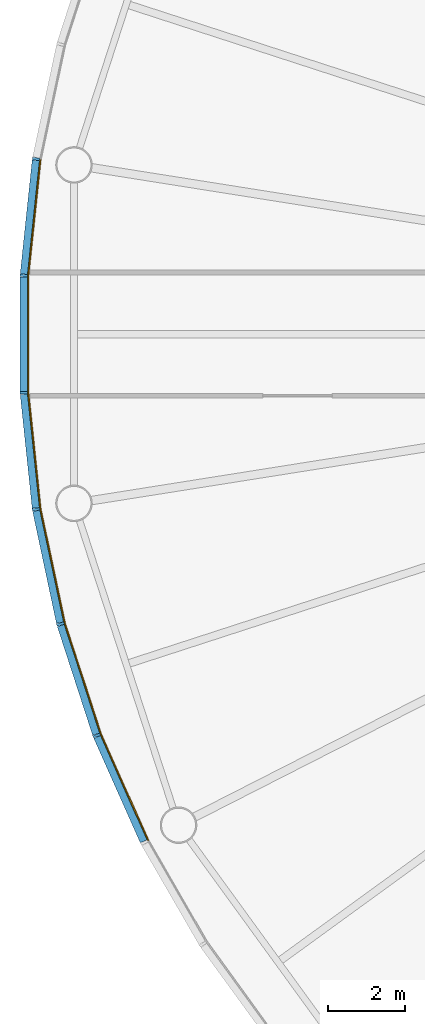
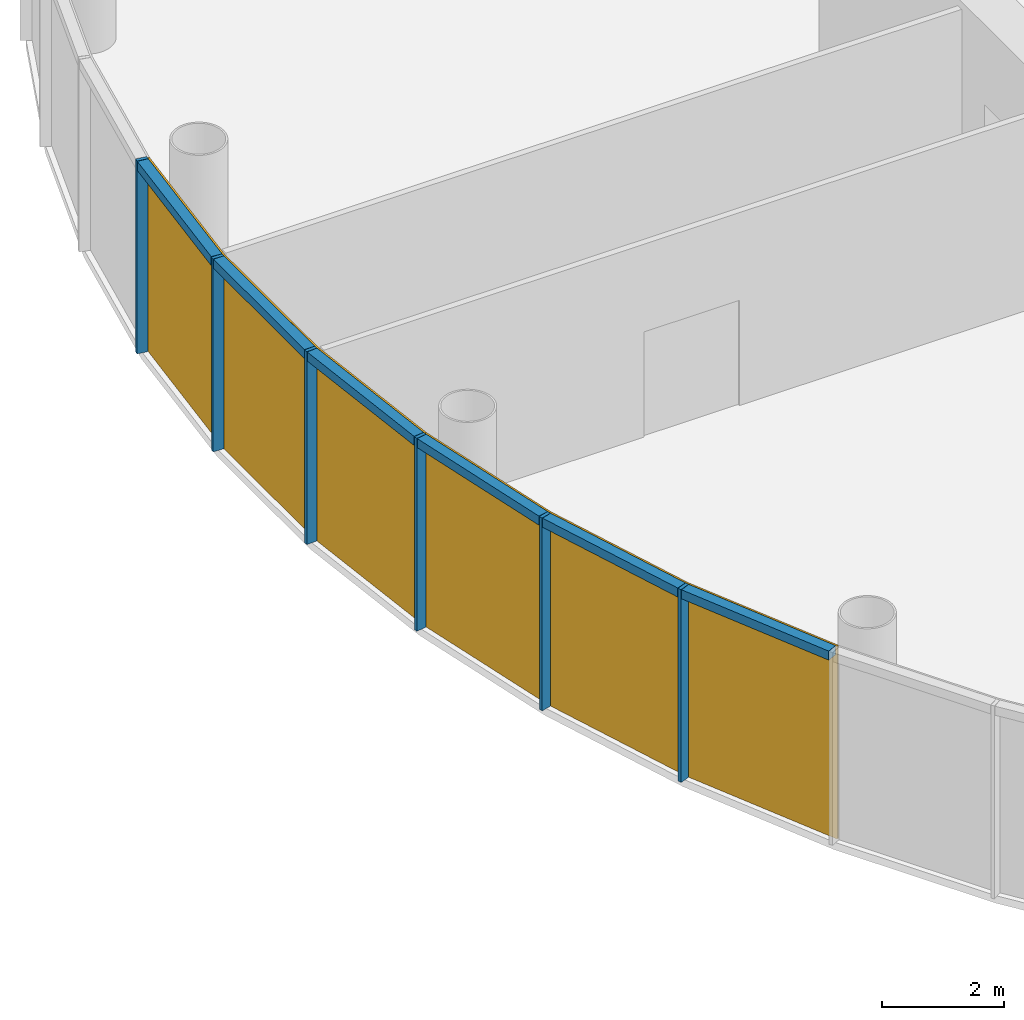
# One storey, part 7 of 12: 12 members, 2 curtain walls.
"""IFC4 building model written with IfcOpenShell, lengths in metres."""

import ifcopenshell
import ifcopenshell.guid

model = None  # the IFC model being written
_history = None  # IfcOwnerHistory: only IFC2X3 demands one
_inside = {}  # id of a spatial element -> (the spatial element, [elements in it])
_under = {}  # id of a project, library or spatial element -> (it, [spatial elements below it])
_declared = {}  # id of a project -> (the project, [libraries it declares])
_typed = {}  # id of a type object -> (the type object, [elements of that type])
_made_of = {}  # id of a material, layer set ... -> (it, [elements and type objects made of it])


def new_model(schema):
    """Start an empty IFC model of exactly this schema.

    Asked for "IFC4X3", IfcOpenShell would pick the latest addendum, in which some entities
    have other attributes; the version numbers below select the first issue.
    IFC2X3 requires an IfcOwnerHistory on every rooted entity: one is made here for all.
    """
    global model, _history
    if schema == "IFC4X3":
        model = ifcopenshell.file(schema_version=(4, 3, 0, 0))
    else:
        model = ifcopenshell.file(schema=schema)
    _inside.clear()
    _under.clear()
    _declared.clear()
    _typed.clear()
    _made_of.clear()
    _history = None
    if model.schema == "IFC2X3":
        org = make("IfcOrganization", Name="unknown")
        user = make(
            "IfcPersonAndOrganization",
            ThePerson=make("IfcPerson", FamilyName="unknown"),
            TheOrganization=org,
        )
        app = make(
            "IfcApplication",
            ApplicationDeveloper=org,
            Version="unknown",
            ApplicationFullName="unknown",
            ApplicationIdentifier="unknown",
        )
        _history = make(
            "IfcOwnerHistory",
            OwningUser=user,
            OwningApplication=app,
            ChangeAction="ADDED",
            CreationDate=0,
        )
    return model


def make(cls, **values):
    """One entity of the class cls with the attributes given. An attribute that is None is left unset."""
    return model.create_entity(
        cls, **{name: value for name, value in values.items() if value is not None}
    )


def rooted(cls, **values):
    """An entity with a GlobalId (a new one), such as an element, a storey or a relation."""
    return make(cls, GlobalId=ifcopenshell.guid.new(), OwnerHistory=_history, **values)


def si_unit(unit_type, name, prefix=None):
    """IfcSIUnit, for example si_unit("LENGTHUNIT", "METRE", prefix="MILLI")."""
    return make("IfcSIUnit", UnitType=unit_type, Prefix=prefix, Name=name)


def assignment(units):
    """IfcUnitAssignment: the units of a project."""
    return None if units is None else make("IfcUnitAssignment", Units=units)


def point(xyz):
    """IfcCartesianPoint."""
    return None if xyz is None else make("IfcCartesianPoint", Coordinates=xyz)


def direction(xyz):
    """IfcDirection."""
    return None if xyz is None else make("IfcDirection", DirectionRatios=xyz)


def frame(location, z_axis=None, x_axis=None):
    """IfcAxis2Placement3D, a coordinate frame: its origin and axes. An axis left out is left unset."""
    return make(
        "IfcAxis2Placement3D",
        Location=point(location),
        Axis=direction(z_axis),
        RefDirection=direction(x_axis),
    )


def frame_2d(location, x_axis=None):
    """IfcAxis2Placement2D, a coordinate frame in the plane: its origin and x axis."""
    return make(
        "IfcAxis2Placement2D", Location=point(location), RefDirection=direction(x_axis)
    )


def origin():
    """The frame at (0, 0, 0) with its axes left unset."""
    return frame((0.0, 0.0, 0.0))


def origin_2d():
    """The frame at (0, 0) in the plane with its x axis left unset."""
    return frame_2d((0.0, 0.0))


def place(relative_to, where):
    """IfcLocalPlacement: puts the frame where relative to a parent placement (None: the world)."""
    return make(
        "IfcLocalPlacement", PlacementRelTo=relative_to, RelativePlacement=where
    )


def context(
    kind, dimensions, precision=None, world=None, true_north=None, identifier=None
):
    """IfcGeometricRepresentationContext, for example the 3D "Model" context."""
    return make(
        "IfcGeometricRepresentationContext",
        ContextIdentifier=identifier,
        ContextType=kind,
        CoordinateSpaceDimension=dimensions,
        Precision=precision,
        WorldCoordinateSystem=world,
        TrueNorth=true_north,
    )


def subcontext(parent, identifier, kind, view, scale=None):
    """IfcGeometricRepresentationSubContext, for example "Body" below "Model"."""
    return make(
        "IfcGeometricRepresentationSubContext",
        ContextIdentifier=identifier,
        ContextType=kind,
        ParentContext=parent,
        TargetScale=scale,
        TargetView=view,
    )


def project(units=None, contexts=None):
    """IfcProject with its units and contexts."""
    return rooted(
        "IfcProject",
        Name="project",
        RepresentationContexts=contexts,
        UnitsInContext=assignment(units),
    )


def spatial(cls, under=None, at=None, **own):
    """A site, building, storey or space (cls), placed at a placement, below another one or the project."""
    s = rooted(cls, ObjectPlacement=at, **own)
    if under is not None:
        _under.setdefault(under.id(), (under, []))[1].append(s)
    return s


def polyline(points):
    """IfcPolyline through the points."""
    return make("IfcPolyline", Points=[point(p) for p in points])


def profile(cls, at=None, kind="AREA", **sizes):
    """A parametric profile (cls). Its sizes go by their IFC names, for example OverallWidth=200.0."""
    return make(cls, ProfileType=kind, Position=at, **sizes)


def rectangle(**sizes):
    """IfcRectangleProfileDef."""
    return profile("IfcRectangleProfileDef", **sizes)


def outline(outer, holes=None, kind="AREA"):
    """IfcArbitraryClosedProfileDef: a profile drawn as a closed curve; with holes, ...WithVoids."""
    if holes is None:
        return make("IfcArbitraryClosedProfileDef", ProfileType=kind, OuterCurve=outer)
    return make(
        "IfcArbitraryProfileDefWithVoids",
        ProfileType=kind,
        OuterCurve=outer,
        InnerCurves=holes,
    )


def extrude(swept, where, along, depth):
    """IfcExtrudedAreaSolid: the profile swept, set in the frame where, extruded along a direction by depth."""
    return make(
        "IfcExtrudedAreaSolid",
        SweptArea=swept,
        Position=where,
        ExtrudedDirection=direction(along),
        Depth=depth,
    )


def shape(context_of_items, identifier, shape_type, items):
    """IfcShapeRepresentation: the items that make up one representation, for example the "Body"."""
    return make(
        "IfcShapeRepresentation",
        ContextOfItems=context_of_items,
        RepresentationIdentifier=identifier,
        RepresentationType=shape_type,
        Items=items,
    )


def material(Name=None, Category=None):
    """IfcMaterial."""
    return make("IfcMaterial", Name=Name, Category=Category)


def layer(
    of_material, thickness, ventilated=None, Name=None, Category=None, Priority=None
):
    """IfcMaterialLayer: one layer of a wall or slab, of a material (None: an air gap)."""
    return make(
        "IfcMaterialLayer",
        Material=of_material,
        LayerThickness=thickness,
        IsVentilated=ventilated,
        Name=Name,
        Category=Category,
        Priority=Priority,
    )


def layer_set(layers, Name=None):
    """IfcMaterialLayerSet."""
    return make("IfcMaterialLayerSet", MaterialLayers=layers, LayerSetName=Name)


def material_profile(
    of_material, cross_section, Name=None, Category=None, Priority=None
):
    """IfcMaterialProfile: a cross section and its material."""
    return make(
        "IfcMaterialProfile",
        Name=Name,
        Material=of_material,
        Profile=cross_section,
        Priority=Priority,
        Category=Category,
    )


def profile_set(profiles, Name=None, composite=None):
    """IfcMaterialProfileSet."""
    return make(
        "IfcMaterialProfileSet",
        Name=Name,
        MaterialProfiles=profiles,
        CompositeProfile=composite,
    )


def made_of(thing, what):
    """Note that an element or type object is made of a material, layer set ...; save() writes the relation."""
    if what is not None:
        _made_of.setdefault(what.id(), (what, []))[1].append(thing)
    return thing


def type_object(cls, material=None, **own):
    """A type object (cls), such as IfcWallType, which elements share."""
    return made_of(rooted(cls, **own), material)


def element(
    cls,
    number,
    at=None,
    inside=None,
    cuts=None,
    type_object=None,
    material=None,
    context=None,
    identifier="Body",
    shape_type=None,
    held_by="IfcProductDefinitionShape",
    body=None,
    shapes=None,
    **own,
):
    """One element of the class cls, such as IfcWall. Its Tag is "e" and its number.

    at: its placement. inside: the storey or other place that contains it. cuts: it is an
    opening in that element (IfcRelVoidsElement). A single representation is given by context,
    identifier, shape_type and body (its items); several are given by shapes. held_by: the class
    of the entity that holds the representations. save() writes the other relations.
    """
    e = rooted(cls, Tag="e%d" % number, ObjectPlacement=at, **own)
    if body is not None:
        shapes = [shape(context, identifier, shape_type, body)]
    if shapes is not None:
        e.Representation = make(held_by, Representations=shapes)
    if inside is not None:
        _inside.setdefault(inside.id(), (inside, []))[1].append(e)
    if cuts is not None:
        rooted(
            "IfcRelVoidsElement", RelatingBuildingElement=cuts, RelatedOpeningElement=e
        )
    if type_object is not None:
        _typed.setdefault(type_object.id(), (type_object, []))[1].append(e)
    return made_of(e, material)


def aggregate(whole, parts):
    """IfcRelAggregates: a whole, such as a stair, and the parts it consists of."""
    return rooted("IfcRelAggregates", RelatingObject=whole, RelatedObjects=parts)


def save(model, path):
    """Write the relations noted so far, then the file.

    IfcRelAggregates (storeys below a building ...), IfcRelContainedInSpatialStructure (elements
    in a storey), IfcRelDefinesByType, IfcRelAssociatesMaterial and IfcRelDeclares: one each for
    every whole, place, type object, material and project.
    """
    for whole, parts in _under.values():
        aggregate(whole, parts)
    for where, things in _inside.values():
        rooted(
            "IfcRelContainedInSpatialStructure",
            RelatedElements=things,
            RelatingStructure=where,
        )
    for kind, things in _typed.values():
        rooted("IfcRelDefinesByType", RelatedObjects=things, RelatingType=kind)
    for what, things in _made_of.values():
        rooted("IfcRelAssociatesMaterial", RelatedObjects=things, RelatingMaterial=what)
    for by, libraries in _declared.values():
        rooted("IfcRelDeclares", RelatingContext=by, RelatedDefinitions=libraries)
    model.write(path)


model = new_model("IFC4")

# Units and contexts
model_context = context("Model", 3, precision=1e-05, world=origin(), true_north=direction((0.0, 1.0)))
body_context = subcontext(model_context, "Body", "Model", "MODEL_VIEW")
ifc_project = project(units=[si_unit("LENGTHUNIT", "METRE"), si_unit("AREAUNIT", "SQUARE_METRE"), si_unit("VOLUMEUNIT", "CUBIC_METRE"), si_unit("PLANEANGLEUNIT", "RADIAN"), si_unit("MASSUNIT", "GRAM", prefix="KILO")], contexts=[model_context])

# Member
ifc_material_1 = material(Name="Anodised aluminium", Category="aluminium")
ifc_material_profile_1 = material_profile(ifc_material_1, rectangle(XDim=0.06494140625, YDim=0.195068359375, at=origin_2d()), Name="Mullion 65 x 195 mm anodised aluminium")
ifc_profile_set_1 = profile_set([ifc_material_profile_1], Name="Anodised aluminium")
member_type_1 = type_object("IfcMemberType", Name="Mullion 65 x 195 mm anodised aluminium", PredefinedType="MULLION", material=ifc_profile_set_1)
site_placement = place(None, origin())
building_placement = place(site_placement, origin())
storey_placement = place(building_placement, frame((0.0, 0.0, 322.0)))
member_1_placement = place(storey_placement, frame((61.2607421875, 84.5517578125, 0.0), z_axis=(0.0, 0.0, 1.0), x_axis=(-0.15643446504, -0.987688340595, 0.0)))
member_1 = element("IfcMember", 1, at=member_1_placement, type_object=member_type_1, Name="MULLION L74-27", PredefinedType="MULLION", context=body_context, shape_type="SweptSolid", body=[
    extrude(rectangle(XDim=0.06494140625, YDim=0.195068359375, at=origin_2d()), origin(), (0.0, 0.0, 1.0), 3.85009765625),
])

member_2_placement = place(storey_placement, frame((60.9423828125, 81.52294921875, 0.0), z_axis=(0.0, 0.0, 1.0), x_axis=(-0.052335956243, -0.998629534755, 0.0)))
member_2 = element("IfcMember", 2, at=member_2_placement, type_object=member_type_1, Name="MULLION L74-28", PredefinedType="MULLION", context=body_context, shape_type="SweptSolid", body=[
    extrude(rectangle(XDim=0.06494140625, YDim=0.195068359375, at=origin_2d()), origin(), (0.0, 0.0, 1.0), 3.85009765625),
])

member_3_placement = place(storey_placement, frame((60.9423828125, 78.47705078125, 0.0), z_axis=(0.0, 0.0, 1.0), x_axis=(0.052335956243, -0.998629534755, 0.0)))
member_3 = element("IfcMember", 3, at=member_3_placement, type_object=member_type_1, Name="MULLION L74-29", PredefinedType="MULLION", context=body_context, shape_type="SweptSolid", body=[
    extrude(rectangle(XDim=0.06494140625, YDim=0.195068359375, at=origin_2d()), origin(), (0.0, 0.0, 1.0), 3.85009765625),
])

member_4_placement = place(storey_placement, frame((61.2607421875, 75.4482421875, 0.0), z_axis=(0.0, 0.0, 1.0), x_axis=(0.15643446504, -0.987688340595, 0.0)))
member_4 = element("IfcMember", 4, at=member_4_placement, type_object=member_type_1, Name="MULLION L74-30", PredefinedType="MULLION", context=body_context, shape_type="SweptSolid", body=[
    extrude(rectangle(XDim=0.06494140625, YDim=0.195068359375, at=origin_2d()), origin(), (0.0, 0.0, 1.0), 3.85009765625),
])

member_5_placement = place(storey_placement, frame((61.89404296875, 72.468994140625, 0.0), z_axis=(0.0, 0.0, 1.0), x_axis=(0.258819045103, -0.965925826289, 0.0)))
member_5 = element("IfcMember", 5, at=member_5_placement, type_object=member_type_1, Name="MULLION L74-31", PredefinedType="MULLION", context=body_context, shape_type="SweptSolid", body=[
    extrude(rectangle(XDim=0.06494140625, YDim=0.195068359375, at=origin_2d()), origin(), (0.0, 0.0, 1.0), 3.85009765625),
])

member_6_placement = place(storey_placement, frame((62.835205078125, 69.572509765625, 0.0), z_axis=(0.0, 0.0, 1.0), x_axis=(0.358367949545, -0.933580426497, 0.0)))
member_6 = element("IfcMember", 6, at=member_6_placement, type_object=member_type_1, Name="MULLION L74-32", PredefinedType="MULLION", context=body_context, shape_type="SweptSolid", body=[
    extrude(rectangle(XDim=0.06494140625, YDim=0.195068359375, at=origin_2d()), origin(), (0.0, 0.0, 1.0), 3.85009765625),
])

ifc_material_2 = material(Name="Anodised aluminium", Category="aluminium")
ifc_material_profile_2 = material_profile(ifc_material_2, rectangle(XDim=0.195068359375, YDim=0.179931640625, at=origin_2d()), Name="Transom 180 x 195 mm anodised aluminium")
ifc_profile_set_2 = profile_set([ifc_material_profile_2], Name="Anodised aluminium")
member_type_2 = type_object("IfcMemberType", Name="Transom 180 x 195 mm anodised aluminium", PredefinedType="USERDEFINED", material=ifc_profile_set_2)
member_7_placement = place(storey_placement, frame((61.256591796875, 84.514404296875, 3.760009765625), z_axis=(-0.104466577987, -0.994528397827, 0.0), x_axis=(0.994528397827, -0.104466577987, 0.0)))
member_7 = element("IfcMember", 7, at=member_7_placement, type_object=member_type_2, Name="TRANSOM L74-27", ObjectType="TRANSOM", PredefinedType="USERDEFINED", context=body_context, shape_type="SweptSolid", body=[
    extrude(rectangle(XDim=0.195068359375, YDim=0.179931640625, at=origin_2d()), origin(), (0.0, 0.0, 1.0), 2.970458984375),
])

member_8_placement = place(storey_placement, frame((60.942138671875, 81.4853515625, 3.760009765625), z_axis=(0.0, -1.0, 0.0), x_axis=(1.0, 0.0, 0.0)))
member_8 = element("IfcMember", 8, at=member_8_placement, type_object=member_type_2, Name="TRANSOM L74-28", ObjectType="TRANSOM", PredefinedType="USERDEFINED", context=body_context, shape_type="SweptSolid", body=[
    extrude(rectangle(XDim=0.195068359375, YDim=0.179931640625, at=origin_2d()), origin(), (0.0, 0.0, 1.0), 2.970703125),
])

member_9_placement = place(storey_placement, frame((60.9462890625, 78.439697265625, 3.760009765625), z_axis=(0.104466577987, -0.994528397827, 0.0), x_axis=(0.994528397827, 0.104466577987, 0.0)))
member_9 = element("IfcMember", 9, at=member_9_placement, type_object=member_type_2, Name="TRANSOM L74-29", ObjectType="TRANSOM", PredefinedType="USERDEFINED", context=body_context, shape_type="SweptSolid", body=[
    extrude(rectangle(XDim=0.195068359375, YDim=0.179931640625, at=origin_2d()), origin(), (0.0, 0.0, 1.0), 2.970458984375),
])

member_10_placement = place(storey_placement, frame((61.268310546875, 75.411376953125, 3.760009765625), z_axis=(0.207940342877, -0.978141510112, 0.0), x_axis=(0.978141510112, 0.207940342877, 0.0)))
member_10 = element("IfcMember", 10, at=member_10_placement, type_object=member_type_2, Name="TRANSOM L74-30", ObjectType="TRANSOM", PredefinedType="USERDEFINED", context=body_context, shape_type="SweptSolid", body=[
    extrude(rectangle(XDim=0.195068359375, YDim=0.179931640625, at=origin_2d()), origin(), (0.0, 0.0, 1.0), 2.970458984375),
])

member_11_placement = place(storey_placement, frame((61.905517578125, 72.43310546875, 3.760009765625), z_axis=(0.309043326415, -0.951047960094, 0.0), x_axis=(0.951047960094, 0.309043326415, 0.0)))
member_11 = element("IfcMember", 11, at=member_11_placement, type_object=member_type_2, Name="TRANSOM L74-31", ObjectType="TRANSOM", PredefinedType="USERDEFINED", context=body_context, shape_type="SweptSolid", body=[
    extrude(rectangle(XDim=0.195068359375, YDim=0.179931640625, at=origin_2d()), origin(), (0.0, 0.0, 1.0), 2.970458984375),
])

member_12_placement = place(storey_placement, frame((62.850341796875, 69.5380859375, 3.760009765625), z_axis=(0.406725527369, -0.913550406593, 0.0), x_axis=(0.913550406593, 0.406725527369, 0.0)))
member_12 = element("IfcMember", 12, at=member_12_placement, type_object=member_type_2, Name="TRANSOM L74-32", ObjectType="TRANSOM", PredefinedType="USERDEFINED", context=body_context, shape_type="SweptSolid", body=[
    extrude(rectangle(XDim=0.195068359375, YDim=0.179931640625, at=origin_2d()), origin(), (0.0, 0.0, 1.0), 2.970703125),
])

# Site, building, storey
site = spatial("IfcSite", under=ifc_project, at=site_placement, CompositionType="ELEMENT")
building = spatial("IfcBuilding", under=site, at=building_placement, Name="Entoto Ring Tower", CompositionType="ELEMENT")
storey = spatial("IfcBuildingStorey", under=building, at=storey_placement, Name="L74", CompositionType="ELEMENT", Elevation=322.0)

# Curtain wall
ifc_material_3 = material(Name="Clear low-iron glass", Category="glass")
ifc_layer = layer(ifc_material_3, 0.033935546875)
ifc_layer_set = layer_set([ifc_layer], Name="Clear low-iron glass")
curtain_wall_type = type_object("IfcCurtainWallType", Name="Curtain wall system CW5 glazing 34 mm", PredefinedType="NOTDEFINED", material=ifc_layer_set)
curtain_wall_1_placement = place(storey_placement, origin())
curtain_wall_1 = element("IfcCurtainWall", 13, at=curtain_wall_1_placement, inside=storey, type_object=curtain_wall_type, Name="CW5 L74-10", PredefinedType="NOTDEFINED", context=body_context, shape_type="SweptSolid", body=[
    extrude(outline(polyline([(61.35693359375, 84.53662109375), (61.039794921875, 81.517822265625), (61.039794921875, 78.482177734375), (61.35693359375, 75.46337890625), (61.390625, 75.46875), (61.07373046875, 78.484130859375), (61.07373046875, 81.515869140625), (61.390625, 84.53125), (61.35693359375, 84.53662109375)])), origin(), (0.0, 0.0, 1.0), 3.85009765625),
])

aggregate(curtain_wall_1, [member_1, member_2, member_3, member_7, member_8, member_9])

curtain_wall_2_placement = place(storey_placement, origin())
curtain_wall_2 = element("IfcCurtainWall", 14, at=curtain_wall_2_placement, inside=storey, type_object=curtain_wall_type, Name="CW5 L74-11", PredefinedType="NOTDEFINED", context=body_context, shape_type="SweptSolid", body=[
    extrude(outline(polyline([(61.35693359375, 75.46337890625), (61.988037109375, 72.494140625), (62.92626953125, 69.607421875), (64.160888671875, 66.834228515625), (64.191162109375, 66.849853515625), (62.9580078125, 69.61962890625), (62.02099609375, 72.503173828125), (61.390625, 75.46875), (61.35693359375, 75.46337890625)])), origin(), (0.0, 0.0, 1.0), 3.85009765625),
])

aggregate(curtain_wall_2, [member_4, member_5, member_6, member_10, member_11, member_12])

save(model, "model.ifc")
